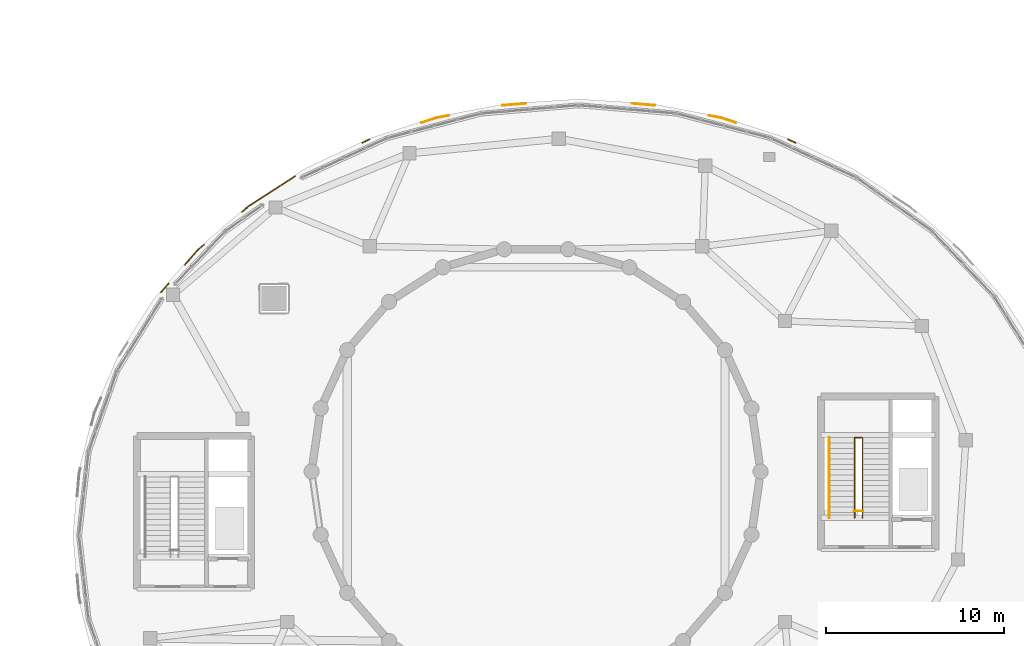
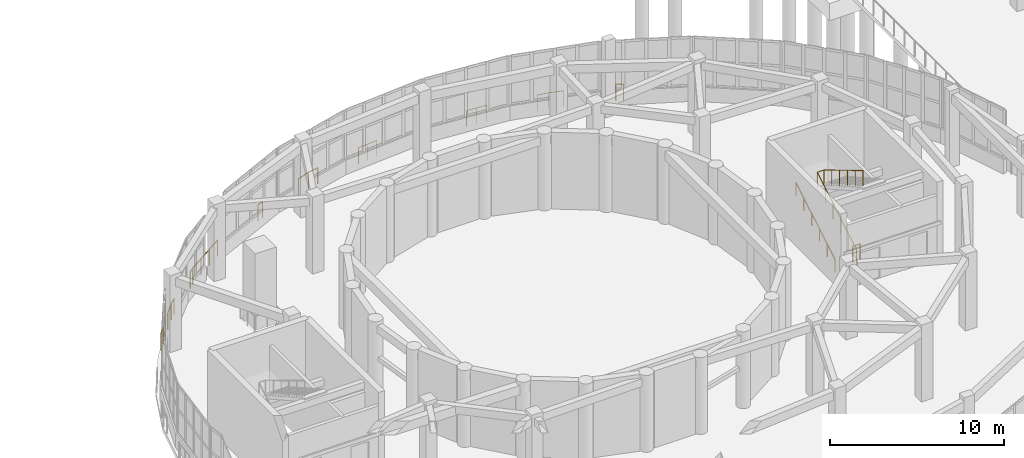
# One storey, part 90 of 96: 12 railings.
"""IFC4 building model written with IfcOpenShell, lengths in metres."""

from ifc_helpers import new_model, si_unit, direction, frame, origin, origin_2d, place, context, subcontext, project, spatial, circle, extrude, material, type_object, element, save


model = new_model("IFC4")

# Units and contexts
model_context = context("Model", 3, precision=1e-05, world=origin(), true_north=direction((0.0, 1.0)))
body_context = subcontext(model_context, "Body", "Model", "MODEL_VIEW")
ifc_project = project(units=[si_unit("LENGTHUNIT", "METRE"), si_unit("AREAUNIT", "SQUARE_METRE"), si_unit("VOLUMEUNIT", "CUBIC_METRE"), si_unit("PLANEANGLEUNIT", "RADIAN"), si_unit("MASSUNIT", "GRAM", prefix="KILO")], contexts=[model_context])

# Site, building, storey
site_placement = place(None, origin())
site = spatial("IfcSite", under=ifc_project, at=site_placement, CompositionType="ELEMENT")
building_placement = place(site_placement, origin())
building = spatial("IfcBuilding", under=site, at=building_placement, Name="Pelvatis Terrace Science Centre", CompositionType="ELEMENT")
storey_placement = place(building_placement, origin())
storey = spatial("IfcBuildingStorey", under=building, at=storey_placement, Name="L00", CompositionType="ELEMENT", Elevation=0.0)

# Railings
ifc_material_1 = material(Name="Bronze-anodised aluminium and laminated safety glass balustrade", Category="aluminium")
railing_type_1 = type_object("IfcRailingType", Name="RLG-BAL-1150", PredefinedType="BALUSTRADE", material=ifc_material_1)
railing_1_placement = place(storey_placement, frame((88.14306640625, 95.85498046875, 0.0)))
element("IfcRailing", 1, at=railing_1_placement, inside=storey, type_object=railing_type_1, Name="Perimeter edge balustrade RLG-EDG-L00-026", PredefinedType="BALUSTRADE", context=body_context, shape_type="SweptSolid", body=[
    extrude(circle(Radius=0.02392578125, at=origin_2d()), frame((0.0, 0.0, 1.1259765625), z_axis=(0.65529734165, 0.755371030703, 0.0), x_axis=(-0.755371030703, 0.65529734165, 0.0)), (0.0, 0.0, 1.0), 0.65869140625),
    extrude(circle(Radius=0.02099609375, at=origin_2d()), origin(), (0.0, 0.0, 1.0), 1.101806640625),
    extrude(circle(Radius=0.02099609375, at=origin_2d()), frame((0.431640625, 0.49755859375, 0.0)), (0.0, 0.0, 1.0), 1.101806640625),
])
railing_2_placement = place(storey_placement, frame((89.490478515625, 97.40771484375, 0.0)))
element("IfcRailing", 2, at=railing_2_placement, inside=storey, type_object=railing_type_1, Name="Perimeter edge balustrade RLG-EDG-L00-027", PredefinedType="BALUSTRADE", context=body_context, shape_type="SweptSolid", body=[
    extrude(circle(Radius=0.02392578125, at=origin_2d()), frame((0.0, 0.0, 1.1259765625), z_axis=(0.655390350927, 0.755290333522, 0.0), x_axis=(-0.755290333522, 0.655390350927, 0.0)), (0.0, 0.0, 1.0), 1.05078125),
    extrude(circle(Radius=0.02392578125, at=origin_2d()), frame((0.688720703125, 0.793701171875, 1.1259765625), z_axis=(0.757029890832, 0.65338024487, 0.0), x_axis=(-0.65338024487, 0.757029890832, 0.0)), (0.0, 0.0, 1.0), 0.504150390625),
    extrude(circle(Radius=0.02099609375, at=origin_2d()), origin(), (0.0, 0.0, 1.0), 1.101806640625),
    extrude(circle(Radius=0.02099609375, at=origin_2d()), frame((0.688720703125, 0.793701171875, 0.0)), (0.0, 0.0, 1.0), 1.101806640625),
    extrude(circle(Radius=0.02099609375, at=origin_2d()), frame((1.0703125, 1.123046875, 0.0)), (0.0, 0.0, 1.0), 1.101806640625),
])
railing_3_placement = place(storey_placement, frame((92.689453125, 100.366943359375, 0.0)))
element("IfcRailing", 3, at=railing_3_placement, inside=storey, type_object=railing_type_1, Name="Perimeter edge balustrade RLG-EDG-L00-028", PredefinedType="BALUSTRADE", context=body_context, shape_type="SweptSolid", body=[
    extrude(circle(Radius=0.02392578125, at=origin_2d()), frame((0.0, 0.0, 1.1259765625), z_axis=(0.757156729179, 0.653233256547, 0.0), x_axis=(-0.653233256547, 0.757156729179, 0.0)), (0.0, 0.0, 1.0), 0.46044921875),
    extrude(circle(Radius=0.02392578125, at=origin_2d()), frame((0.3486328125, 0.30078125, 1.1259765625), z_axis=(0.84007785101, 0.54246585537, 0.0), x_axis=(-0.54246585537, 0.84007785101, 0.0)), (0.0, 0.0, 1.0), 3.1328125),
    extrude(circle(Radius=0.02099609375, at=origin_2d()), origin(), (0.0, 0.0, 1.0), 1.101806640625),
    extrude(circle(Radius=0.02099609375, at=origin_2d()), frame((0.3486328125, 0.30078125, 0.0)), (0.0, 0.0, 1.0), 1.101806640625),
    extrude(circle(Radius=0.02099609375, at=origin_2d()), frame((1.225830078125, 0.8671875, 0.0)), (0.0, 0.0, 1.0), 1.101806640625),
    extrude(circle(Radius=0.02099609375, at=origin_2d()), frame((2.103271484375, 1.433837890625, 0.0)), (0.0, 0.0, 1.0), 1.101806640625),
    extrude(circle(Radius=0.02099609375, at=origin_2d()), frame((2.98046875, 2.000244140625, 0.0)), (0.0, 0.0, 1.0), 1.101806640625),
])
railing_4_placement = place(storey_placement, frame((99.447021484375, 104.252197265625, 0.0)))
element("IfcRailing", 4, at=railing_4_placement, inside=storey, type_object=railing_type_1, Name="Perimeter edge balustrade RLG-EDG-L00-029", PredefinedType="BALUSTRADE", context=body_context, shape_type="SweptSolid", body=[
    extrude(circle(Radius=0.02392578125, at=origin_2d()), frame((0.0, 0.0, 1.1259765625), z_axis=(0.908246208512, 0.418436165649, 0.0), x_axis=(-0.418436165649, 0.908246208512, 0.0)), (0.0, 0.0, 1.0), 0.447998046875),
    extrude(circle(Radius=0.02099609375, at=origin_2d()), origin(), (0.0, 0.0, 1.0), 1.101806640625),
    extrude(circle(Radius=0.02099609375, at=origin_2d()), frame((0.406982421875, 0.1875, 0.0)), (0.0, 0.0, 1.0), 1.101806640625),
])
railing_5_placement = place(storey_placement, frame((102.78076171875, 105.38134765625, 0.0)))
element("IfcRailing", 5, at=railing_5_placement, inside=storey, type_object=railing_type_1, Name="Perimeter edge balustrade RLG-EDG-L00-030", PredefinedType="BALUSTRADE", context=body_context, shape_type="SweptSolid", body=[
    extrude(circle(Radius=0.02392578125, at=origin_2d()), frame((0.0, 0.0, 1.1259765625), z_axis=(0.951897813034, 0.306415654855, 0.0), x_axis=(-0.306415654855, 0.951897813034, 0.0)), (0.0, 0.0, 1.0), 0.874755859375),
    extrude(circle(Radius=0.02392578125, at=origin_2d()), frame((0.832763671875, 0.26806640625, 1.1259765625), z_axis=(0.98287614505, 0.18426742385, 0.0), x_axis=(-0.18426742385, 0.98287614505, 0.0)), (0.0, 0.0, 1.0), 0.6982421875),
    extrude(circle(Radius=0.02099609375, at=origin_2d()), origin(), (0.0, 0.0, 1.0), 1.101806640625),
    extrude(circle(Radius=0.02099609375, at=origin_2d()), frame((0.832763671875, 0.26806640625, 0.0)), (0.0, 0.0, 1.0), 1.101806640625),
    extrude(circle(Radius=0.02099609375, at=origin_2d()), frame((1.51904296875, 0.396728515625, 0.0)), (0.0, 0.0, 1.0), 1.101806640625),
])
railing_6_placement = place(storey_placement, frame((107.330078125, 106.3466796875, 0.0)))
element("IfcRailing", 6, at=railing_6_placement, inside=storey, type_object=railing_type_1, Name="Perimeter edge balustrade RLG-EDG-L00-031", PredefinedType="BALUSTRADE", context=body_context, shape_type="SweptSolid", body=[
    extrude(circle(Radius=0.02392578125, at=origin_2d()), frame((0.0, 0.0, 1.1259765625), z_axis=(0.996415338053, 0.08459594608, 0.0), x_axis=(-0.08459594608, 0.996415338053, 0.0)), (0.0, 0.0, 1.0), 1.2900390625),
    extrude(circle(Radius=0.02099609375, at=origin_2d()), origin(), (0.0, 0.0, 1.0), 1.101806640625),
    extrude(circle(Radius=0.02099609375, at=origin_2d()), frame((0.642578125, 0.0546875, 0.0)), (0.0, 0.0, 1.0), 1.101806640625),
    extrude(circle(Radius=0.02099609375, at=origin_2d()), frame((1.285400390625, 0.109130859375, 0.0)), (0.0, 0.0, 1.0), 1.101806640625),
])
railing_7_placement = place(storey_placement, frame((114.584716796875, 106.455810546875, 0.0)))
element("IfcRailing", 7, at=railing_7_placement, inside=storey, type_object=railing_type_1, Name="Perimeter edge balustrade RLG-EDG-L00-032", PredefinedType="BALUSTRADE", context=body_context, shape_type="SweptSolid", body=[
    extrude(circle(Radius=0.02392578125, at=origin_2d()), frame((0.0, 0.0, 1.1259765625), z_axis=(0.996413983288, -0.084611901696, 0.0), x_axis=(0.084611901696, 0.996413983288, 0.0)), (0.0, 0.0, 1.0), 1.289794921875),
    extrude(circle(Radius=0.02099609375, at=origin_2d()), origin(), (0.0, 0.0, 1.0), 1.101806640625),
    extrude(circle(Radius=0.02099609375, at=origin_2d()), frame((0.642578125, -0.0546875, 0.0)), (0.0, 0.0, 1.0), 1.101806640625),
    extrude(circle(Radius=0.02099609375, at=origin_2d()), frame((1.28515625, -0.109130859375, 0.0)), (0.0, 0.0, 1.0), 1.101806640625),
])
railing_8_placement = place(storey_placement, frame((118.900146484375, 105.778076171875, 0.0)))
element("IfcRailing", 8, at=railing_8_placement, inside=storey, type_object=railing_type_1, Name="Perimeter edge balustrade RLG-EDG-L00-033", PredefinedType="BALUSTRADE", context=body_context, shape_type="SweptSolid", body=[
    extrude(circle(Radius=0.02392578125, at=origin_2d()), frame((0.0, 0.0, 1.1259765625), z_axis=(0.98287614505, -0.18426742385, 0.0), x_axis=(0.18426742385, 0.98287614505, 0.0)), (0.0, 0.0, 1.0), 0.6982421875),
    extrude(circle(Radius=0.02392578125, at=origin_2d()), frame((0.686279296875, -0.128662109375, 1.1259765625), z_axis=(0.951897813034, -0.306415654855, 0.0), x_axis=(0.306415654855, 0.951897813034, 0.0)), (0.0, 0.0, 1.0), 0.874755859375),
    extrude(circle(Radius=0.02099609375, at=origin_2d()), origin(), (0.0, 0.0, 1.0), 1.101806640625),
    extrude(circle(Radius=0.02099609375, at=origin_2d()), frame((0.686279296875, -0.128662109375, 0.0)), (0.0, 0.0, 1.0), 1.101806640625),
    extrude(circle(Radius=0.02099609375, at=origin_2d()), frame((1.51904296875, -0.396728515625, 0.0)), (0.0, 0.0, 1.0), 1.101806640625),
])
railing_9_placement = place(storey_placement, frame((123.34619140625, 104.439697265625, 0.0)))
element("IfcRailing", 9, at=railing_9_placement, inside=storey, type_object=railing_type_1, Name="Perimeter edge balustrade RLG-EDG-L00-034", PredefinedType="BALUSTRADE", context=body_context, shape_type="SweptSolid", body=[
    extrude(circle(Radius=0.02392578125, at=origin_2d()), frame((0.0, 0.0, 1.1259765625), z_axis=(0.908246208512, -0.418436165649, 0.0), x_axis=(0.418436165649, 0.908246208512, 0.0)), (0.0, 0.0, 1.0), 0.447998046875),
    extrude(circle(Radius=0.02099609375, at=origin_2d()), origin(), (0.0, 0.0, 1.0), 1.101806640625),
    extrude(circle(Radius=0.02099609375, at=origin_2d()), frame((0.406982421875, -0.1875, 0.0)), (0.0, 0.0, 1.0), 1.101806640625),
])
ifc_material_2 = material(Name="Brushed architectural bronze tubular railing", Category="steel")
railing_type_2 = type_object("IfcRailingType", Name="RLG-GRD-1120", PredefinedType="GUARDRAIL", material=ifc_material_2)
railing_10_placement = place(storey_placement, frame((127.080078125, 83.199951171875, 0.0)))
element("IfcRailing", 10, at=railing_10_placement, inside=storey, type_object=railing_type_2, Name="Stair ST-02-L00 inner well guardrail", PredefinedType="GUARDRAIL", context=body_context, shape_type="SweptSolid", body=[
    extrude(circle(Radius=0.02392578125, at=origin_2d()), frame((0.0, 0.0, 1.09619140625), z_axis=(0.0, 0.857497030584, 0.514488913912), x_axis=(-1.0, 0.0, 0.0)), (0.0, 0.0, 1.0), 5.247802734375),
    extrude(circle(Radius=0.02392578125, at=origin_2d()), frame((0.0, 4.5, 3.7958984375), z_axis=(1.0, 0.0, 0.0), x_axis=(0.0, 1.0, 0.0)), (0.0, 0.0, 1.0), 0.43994140625),
    extrude(circle(Radius=0.02392578125, at=origin_2d()), frame((0.43994140625, 4.5, 3.7958984375), z_axis=(0.0, -0.857497030584, 0.514488913912), x_axis=(1.0, 0.0, 0.0)), (0.0, 0.0, 1.0), 5.247802734375),
    extrude(circle(Radius=0.02099609375, at=origin_2d()), origin(), (0.0, 0.0, 1.0), 1.072021484375),
    extrude(circle(Radius=0.02099609375, at=origin_2d()), frame((0.0, 0.89990234375, 0.5400390625)), (0.0, 0.0, 1.0), 1.072021484375),
    extrude(circle(Radius=0.02099609375, at=origin_2d()), frame((0.0, 1.800048828125, 1.080078125)), (0.0, 0.0, 1.0), 1.072021484375),
    extrude(circle(Radius=0.02099609375, at=origin_2d()), frame((0.0, 2.699951171875, 1.619873046875)), (0.0, 0.0, 1.0), 1.072021484375),
    extrude(circle(Radius=0.02099609375, at=origin_2d()), frame((0.0, 3.60009765625, 2.159912109375)), (0.0, 0.0, 1.0), 1.072021484375),
    extrude(circle(Radius=0.02099609375, at=origin_2d()), frame((0.0, 4.5, 2.699951171875)), (0.0, 0.0, 1.0), 1.072021484375),
    extrude(circle(Radius=0.02099609375, at=origin_2d()), frame((0.43994140625, 4.5, 2.699951171875)), (0.0, 0.0, 1.0), 1.072021484375),
    extrude(circle(Radius=0.02099609375, at=origin_2d()), frame((0.43994140625, 3.60009765625, 3.239990234375)), (0.0, 0.0, 1.0), 1.072021484375),
    extrude(circle(Radius=0.02099609375, at=origin_2d()), frame((0.43994140625, 2.699951171875, 3.780029296875)), (0.0, 0.0, 1.0), 1.072021484375),
    extrude(circle(Radius=0.02099609375, at=origin_2d()), frame((0.43994140625, 1.800048828125, 4.31982421875)), (0.0, 0.0, 1.0), 1.072021484375),
    extrude(circle(Radius=0.02099609375, at=origin_2d()), frame((0.43994140625, 0.89990234375, 4.85986328125)), (0.0, 0.0, 1.0), 1.072021484375),
    extrude(circle(Radius=0.02099609375, at=origin_2d()), frame((0.43994140625, 0.0, 5.39990234375)), (0.0, 0.0, 1.0), 1.072021484375),
])
railing_11_placement = place(storey_placement, frame((127.050048828125, 83.580078125, 0.0)))
element("IfcRailing", 11, at=railing_11_placement, inside=storey, type_object=railing_type_2, Name="Core C2 landing well slot guard (L00)", PredefinedType="GUARDRAIL", context=body_context, shape_type="SweptSolid", body=[
    extrude(circle(Radius=0.02392578125, at=origin_2d()), frame((0.0, 0.0, 1.09619140625), z_axis=(1.0, 0.0, 0.0), x_axis=(0.0, 1.0, 0.0)), (0.0, 0.0, 1.0), 0.5),
    extrude(circle(Radius=0.02099609375, at=origin_2d()), origin(), (0.0, 0.0, 1.0), 1.072021484375),
    extrude(circle(Radius=0.02099609375, at=origin_2d()), frame((0.5, 0.0, 0.0)), (0.0, 0.0, 1.0), 1.072021484375),
])
ifc_material_3 = material(Name="Brushed architectural bronze tubular railing", Category="steel")
railing_type_3 = type_object("IfcRailingType", Name="RLG-HND-0900", PredefinedType="HANDRAIL", material=ifc_material_3)
railing_12_placement = place(storey_placement, frame((125.659912109375, 83.199951171875, 0.0)))
element("IfcRailing", 12, at=railing_12_placement, inside=storey, type_object=railing_type_3, Name="Stair ST-02-L00 wall handrail", PredefinedType="HANDRAIL", context=body_context, shape_type="SweptSolid", body=[
    extrude(circle(Radius=0.02392578125, at=origin_2d()), frame((0.0, 0.0, 0.8759765625), z_axis=(0.0, 0.857497030584, 0.514488913912), x_axis=(-1.0, 0.0, 0.0)), (0.0, 0.0, 1.0), 5.247802734375),
    extrude(circle(Radius=0.02099609375, at=origin_2d()), origin(), (0.0, 0.0, 1.0), 0.851806640625),
    extrude(circle(Radius=0.02099609375, at=origin_2d()), frame((0.0, 0.89990234375, 0.5400390625)), (0.0, 0.0, 1.0), 0.851806640625),
    extrude(circle(Radius=0.02099609375, at=origin_2d()), frame((0.0, 1.800048828125, 1.080078125)), (0.0, 0.0, 1.0), 0.851806640625),
    extrude(circle(Radius=0.02099609375, at=origin_2d()), frame((0.0, 2.699951171875, 1.619873046875)), (0.0, 0.0, 1.0), 0.851806640625),
    extrude(circle(Radius=0.02099609375, at=origin_2d()), frame((0.0, 3.60009765625, 2.159912109375)), (0.0, 0.0, 1.0), 0.851806640625),
    extrude(circle(Radius=0.02099609375, at=origin_2d()), frame((0.0, 4.5, 2.699951171875)), (0.0, 0.0, 1.0), 0.851806640625),
])

save(model, "model.ifc")
